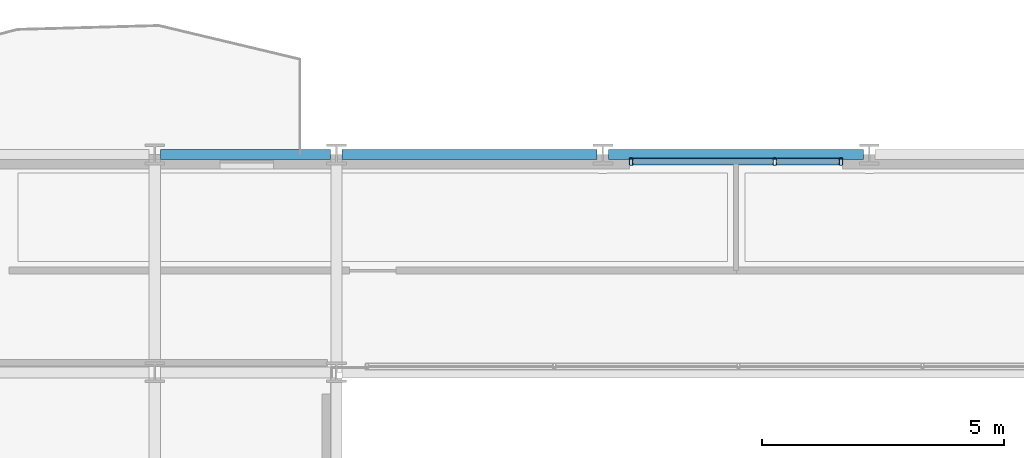
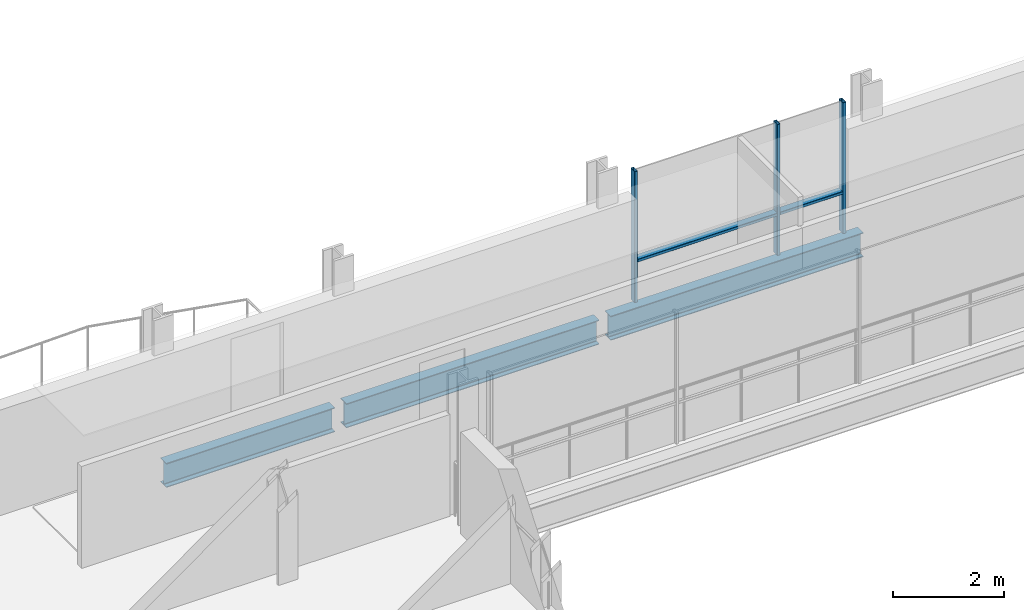
# One storey, part 22 of 41: 5 members, 3 beams, 1 element without a shape of its own.
"""IFC4 building model written with IfcOpenShell, lengths in metres."""

from ifc_helpers import new_model, si_unit, direction, frame, origin, origin_2d, place, context, subcontext, project, spatial, hollow_rectangle, i_section, extrude, material, layer, layer_set, material_profile, profile_set, type_object, element, aggregate, save


model = new_model("IFC4")

# Units and contexts
model_context = context("Model", 3, precision=1e-05, world=origin(), true_north=direction((0.0, 1.0)))
body_context = subcontext(model_context, "Body", "Model", "MODEL_VIEW")
ifc_project = project(units=[si_unit("LENGTHUNIT", "METRE"), si_unit("AREAUNIT", "SQUARE_METRE"), si_unit("VOLUMEUNIT", "CUBIC_METRE"), si_unit("PLANEANGLEUNIT", "RADIAN"), si_unit("MASSUNIT", "GRAM", prefix="KILO")], contexts=[model_context])

# Site, building, storey
site_placement = place(None, origin())
site = spatial("IfcSite", under=ifc_project, at=site_placement, CompositionType="ELEMENT")
building_placement = place(site_placement, origin())
building = spatial("IfcBuilding", under=site, at=building_placement, Name="Brevholm Reach", CompositionType="ELEMENT")
storey_placement = place(building_placement, frame((0.0, 0.0, 106.60009765625)))
storey = spatial("IfcBuildingStorey", under=building, at=storey_placement, Name="L31", CompositionType="ELEMENT", Elevation=106.60009765625)

# Beams
ifc_material_1 = material(Name="Structural Steel S355J2", Category="steel")
ifc_material_profile_1 = material_profile(ifc_material_1, i_section(OverallWidth=0.209228515625, OverallDepth=0.533203125, WebThickness=0.010009765625, FlangeThickness=0.015625, FilletRadius=0.0126953125, at=origin_2d()), Name="UKB 533x210x92")
ifc_profile_set_1 = profile_set([ifc_material_profile_1], Name="Structural Steel S355J2")
beam_type = type_object("IfcBeamType", Name="BM-SP533", PredefinedType="SPANDREL", material=ifc_profile_set_1)
beam_placement = place(storey_placement, frame((18.1201171875, 31.0, -0.486572265625), z_axis=(1.0, 0.0, 0.0), x_axis=(0.0, 1.0, 0.0)))
element("IfcBeam", 1, at=beam_placement, inside=storey, type_object=beam_type, Name="L31 SP-02 Framing Beam", PredefinedType="SPANDREL", context=body_context, shape_type="SweptSolid", body=[
    extrude(i_section(OverallWidth=0.209228515625, OverallDepth=0.533203125, WebThickness=0.010009765625, FlangeThickness=0.015625, FilletRadius=0.0126953125, at=origin_2d()), origin(), (0.0, 0.0, 1.0), 3.509765625),
])
for number, where, z_axis, x_axis, name in (
    (2, (21.8701171875, 31.0, -0.486572265625), (1.0, 0.0, 0.0), (0.0, 1.0, 0.0), "L31 SP-02 Framing Beam"),
    (3, (27.3701171875, 31.0, -0.486572265625), (1.0, 0.0, 0.0), (0.0, 1.0, 0.0), "L31 SP-02 Framing Beam"),
):
    element("IfcBeam", number, at=place(storey_placement, frame(where, z_axis=z_axis, x_axis=x_axis)), inside=storey, type_object=beam_type, Name=name, PredefinedType="SPANDREL", context=body_context, shape_type="SweptSolid", body=[
        extrude(i_section(OverallWidth=0.209228515625, OverallDepth=0.533203125, WebThickness=0.010009765625, FlangeThickness=0.015625, FilletRadius=0.0126953125, at=origin_2d()), origin(), (0.0, 0.0, 1.0), 5.259765625),
    ])

# Curtain wall, members
ifc_material_2 = material(Name="Dark Anodised Aluminium 6063-T6 and Solar-Control Glass", Category="aluminium")
ifc_layer = layer(ifc_material_2, 0.14990234375)
ifc_layer_set = layer_set([ifc_layer], Name="Dark Anodised Aluminium 6063-T6 and Solar-Control Glass")
curtain_wall_type = type_object("IfcCurtainWallType", Name="CW-01", PredefinedType="NOTDEFINED", material=ifc_layer_set)
curtain_wall_placement = place(storey_placement, origin())
curtain_wall = element("IfcCurtainWall", 4, at=curtain_wall_placement, inside=storey, type_object=curtain_wall_type, Name="L31 Curtain Wall CW-01", PredefinedType="NOTDEFINED")
ifc_material_3 = material(Name="Dark Anodised Aluminium 6063-T6", Category="aluminium")
ifc_material_profile_2 = material_profile(ifc_material_3, hollow_rectangle(XDim=0.06494140625, YDim=0.14990234375, WallThickness=0.0048828125, InnerFilletRadius=0.0048828125, OuterFilletRadius=0.010009765625, at=origin_2d()), Name="RHS 150x65x5")
ifc_profile_set_2 = profile_set([ifc_material_profile_2], Name="Dark Anodised Aluminium 6063-T6")
member_type_1 = type_object("IfcMemberType", Name="CWM-150", PredefinedType="MULLION", material=ifc_profile_set_2)
member_1_placement = place(storey_placement, frame((27.83251953125, 30.85009765625, 0.0), z_axis=(0.0, 0.0, 1.0), x_axis=(1.0, 0.0, 0.0)))
member_1 = element("IfcMember", 5, at=member_1_placement, type_object=member_type_1, Name="CM-150 Mullion 1", PredefinedType="MULLION", context=body_context, shape_type="SweptSolid", body=[
    extrude(hollow_rectangle(XDim=0.06494140625, YDim=0.14990234375, WallThickness=0.0048828125, InnerFilletRadius=0.0048828125, OuterFilletRadius=0.010009765625, at=origin_2d()), origin(), (0.0, 0.0, 1.0), 2.8798828125),
])
member_2_placement = place(storey_placement, frame((30.800048828125, 30.85009765625, 0.0), z_axis=(0.0, 0.0, 1.0), x_axis=(1.0, 0.0, 0.0)))
member_2 = element("IfcMember", 6, at=member_2_placement, type_object=member_type_1, Name="CM-150 Mullion 2", PredefinedType="MULLION", context=body_context, shape_type="SweptSolid", body=[
    extrude(hollow_rectangle(XDim=0.06494140625, YDim=0.14990234375, WallThickness=0.0048828125, InnerFilletRadius=0.0048828125, OuterFilletRadius=0.010009765625, at=origin_2d()), origin(), (0.0, 0.0, 1.0), 2.8798828125),
])
member_3_placement = place(storey_placement, frame((32.16748046875, 30.85009765625, 0.0), z_axis=(0.0, 0.0, 1.0), x_axis=(1.0, 0.0, 0.0)))
member_3 = element("IfcMember", 7, at=member_3_placement, type_object=member_type_1, Name="CM-150 Mullion 3", PredefinedType="MULLION", context=body_context, shape_type="SweptSolid", body=[
    extrude(hollow_rectangle(XDim=0.06494140625, YDim=0.14990234375, WallThickness=0.0048828125, InnerFilletRadius=0.0048828125, OuterFilletRadius=0.010009765625, at=origin_2d()), origin(), (0.0, 0.0, 1.0), 2.8798828125),
])
ifc_material_4 = material(Name="Dark Anodised Aluminium 6063-T6", Category="aluminium")
ifc_material_profile_3 = material_profile(ifc_material_4, hollow_rectangle(XDim=0.06494140625, YDim=0.14990234375, WallThickness=0.0048828125, InnerFilletRadius=0.0048828125, OuterFilletRadius=0.010009765625, at=origin_2d()), Name="RHS 150x65x5")
ifc_profile_set_3 = profile_set([ifc_material_profile_3], Name="Dark Anodised Aluminium 6063-T6")
member_type_2 = type_object("IfcMemberType", Name="CWT-150", PredefinedType="NOTDEFINED", material=ifc_profile_set_3)
member_4_placement = place(storey_placement, frame((27.864990234375, 30.85009765625, 0.89990234375), z_axis=(1.0, 0.0, 0.0), x_axis=(0.0, 0.0, 1.0)))
member_4 = element("IfcMember", 8, at=member_4_placement, type_object=member_type_2, Name="CT-150 Transom 1.1", ObjectType="TRANSOM", PredefinedType="USERDEFINED", context=body_context, shape_type="SweptSolid", body=[
    extrude(hollow_rectangle(XDim=0.06494140625, YDim=0.14990234375, WallThickness=0.0048828125, InnerFilletRadius=0.0048828125, OuterFilletRadius=0.010009765625, at=origin_2d()), origin(), (0.0, 0.0, 1.0), 2.902587890625),
])
member_5_placement = place(storey_placement, frame((30.83251953125, 30.85009765625, 0.89990234375), z_axis=(1.0, 0.0, 0.0), x_axis=(0.0, 0.0, 1.0)))
member_5 = element("IfcMember", 9, at=member_5_placement, type_object=member_type_2, Name="CT-150 Transom 2.1", ObjectType="TRANSOM", PredefinedType="USERDEFINED", context=body_context, shape_type="SweptSolid", body=[
    extrude(hollow_rectangle(XDim=0.06494140625, YDim=0.14990234375, WallThickness=0.0048828125, InnerFilletRadius=0.0048828125, OuterFilletRadius=0.010009765625, at=origin_2d()), origin(), (0.0, 0.0, 1.0), 1.302490234375),
])
aggregate(curtain_wall, [member_1, member_2, member_3, member_4, member_5])

save(model, "model.ifc")
